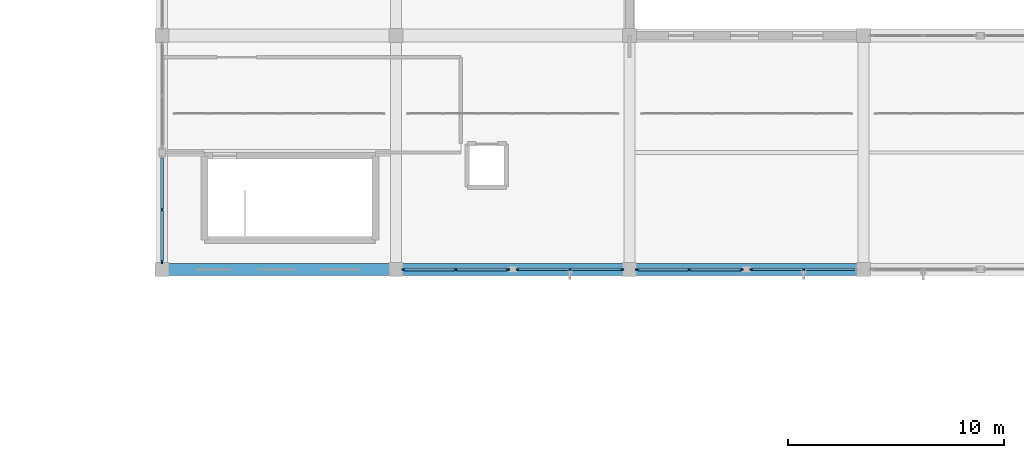
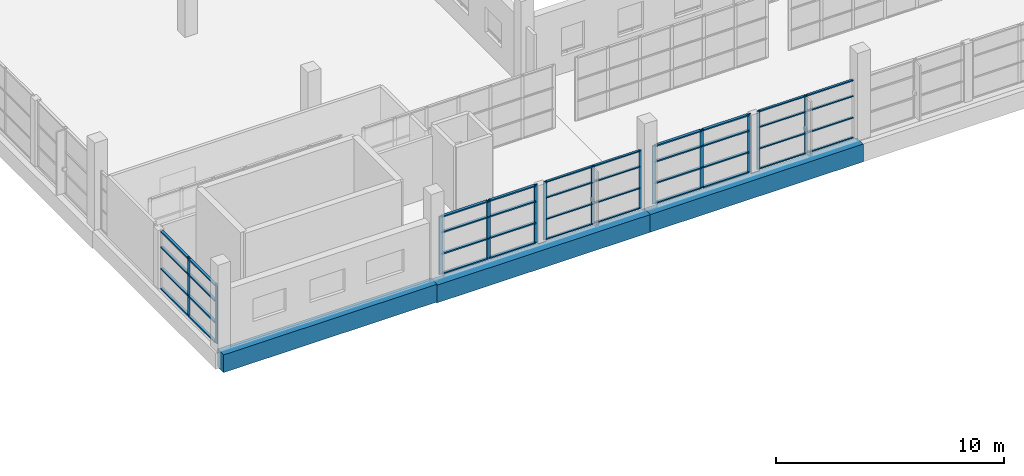
# One storey, part 22 of 142: 53 members, 3 beams, 5 elements without a shape of their own.
"""IFC4 building model written with IfcOpenShell, lengths in metres."""

from ifc_helpers import new_model, si_unit, direction, frame, origin, origin_2d, place, context, subcontext, project, spatial, rectangle, extrude, material, material_profile, profile_set, type_object, element, aggregate, save


model = new_model("IFC4")

# Units and contexts
model_context = context("Model", 3, precision=1e-05, world=origin(), true_north=direction((0.0, 1.0)))
body_context = subcontext(model_context, "Body", "Model", "MODEL_VIEW")
ifc_project = project(units=[si_unit("LENGTHUNIT", "METRE"), si_unit("AREAUNIT", "SQUARE_METRE"), si_unit("VOLUMEUNIT", "CUBIC_METRE"), si_unit("PLANEANGLEUNIT", "RADIAN"), si_unit("MASSUNIT", "GRAM", prefix="KILO")], contexts=[model_context])

# Site, building, storey
site_placement = place(None, origin())
site = spatial("IfcSite", under=ifc_project, at=site_placement, CompositionType="ELEMENT")
building_placement = place(site_placement, origin())
building = spatial("IfcBuilding", under=site, at=building_placement, Name="Zwinboog Wholesale Market", CompositionType="ELEMENT")
storey_placement = place(building_placement, frame((0.0, 0.0, 5.39990234375)))
storey = spatial("IfcBuildingStorey", under=building, at=storey_placement, Name="L01", CompositionType="ELEMENT", Elevation=5.39990234375)

# Beams
ifc_material_1 = material(Name="Precast concrete C45/55", Category="concrete")
ifc_material_profile_1 = material_profile(ifc_material_1, rectangle(XDim=0.550048828125, YDim=0.949951171875, at=origin_2d()), Name="PC 550x950")
ifc_profile_set_1 = profile_set([ifc_material_profile_1], Name="Precast concrete C45/55")
beam_type = type_object("IfcBeamType", Name="BT-02", PredefinedType="BEAM", material=ifc_profile_set_1)
beam_1_placement = place(storey_placement, frame((64.800048828125, 43.199951171875, -0.72998046875), z_axis=(1.0, 0.0, 0.0), x_axis=(0.0, 1.0, 0.0)))
element("IfcBeam", 1, at=beam_1_placement, inside=storey, type_object=beam_type, Name="BG-02 (BMG-L01-0648-0432-0465)", PredefinedType="BEAM", context=body_context, shape_type="SweptSolid", body=[
    extrude(rectangle(XDim=0.550048828125, YDim=0.949951171875, at=origin_2d()), origin(), (0.0, 0.0, 1.0), 10.800048828125),
])
beam_2_placement = place(storey_placement, frame((75.60009765625, 43.199951171875, -0.77978515625), z_axis=(1.0, 0.0, 0.0), x_axis=(0.0, 1.0, 0.0)))
element("IfcBeam", 2, at=beam_2_placement, inside=storey, type_object=beam_type, Name="BG-02 (BMG-L01-0756-0432-0466)", PredefinedType="BEAM", context=body_context, shape_type="SweptSolid", body=[
    extrude(rectangle(XDim=0.550048828125, YDim=0.949951171875, at=origin_2d()), origin(), (0.0, 0.0, 1.0), 10.7998046875),
])
beam_3_placement = place(storey_placement, frame((86.39990234375, 43.199951171875, -0.77978515625), z_axis=(1.0, 0.0, 0.0), x_axis=(0.0, 1.0, 0.0)))
element("IfcBeam", 3, at=beam_3_placement, inside=storey, type_object=beam_type, Name="BG-02 (BMG-L01-0864-0432-0467)", PredefinedType="BEAM", context=body_context, shape_type="SweptSolid", body=[
    extrude(rectangle(XDim=0.550048828125, YDim=0.949951171875, at=origin_2d()), origin(), (0.0, 0.0, 1.0), 10.800048828125),
])

# Curtain wall, members
ifc_material_2 = material(Name="Aluminium thermally broken curtain wall", Category="aluminium")
curtain_wall_type_1 = type_object("IfcCurtainWallType", Name="CWT-STALL-18", PredefinedType="USERDEFINED", material=ifc_material_2)
curtain_wall_1_placement = place(storey_placement, origin())
curtain_wall_1 = element("IfcCurtainWall", 4, at=curtain_wall_1_placement, inside=storey, type_object=curtain_wall_type_1, Name="CW-01 (CW-L01-085)", ObjectType="STOREFRONT_GLAZING", PredefinedType="USERDEFINED")
ifc_material_3 = material(Name="Aluminium EN AW-6060", Category="aluminium")
ifc_material_profile_2 = material_profile(ifc_material_3, rectangle(XDim=0.06494140625, YDim=0.179931640625, at=origin_2d()), Name="AL 65x180")
ifc_profile_set_2 = profile_set([ifc_material_profile_2], Name="Aluminium EN AW-6060")
member_type_1 = type_object("IfcMemberType", Name="CWM-65x180", PredefinedType="MULLION", material=ifc_profile_set_2)
member_1_placement = place(storey_placement, frame((64.800048828125, 43.552490234375, 0.0), z_axis=(0.0, 0.0, 1.0), x_axis=(-1.0, 0.0, 0.0)))
member_1 = element("IfcMember", 5, at=member_1_placement, type_object=member_type_1, Name="CW-01 mullion 1", PredefinedType="MULLION", context=body_context, shape_type="SweptSolid", body=[
    extrude(rectangle(XDim=0.06494140625, YDim=0.179931640625, at=origin_2d()), origin(), (0.0, 0.0, 1.0), 3.1201171875),
])
member_2_placement = place(storey_placement, frame((64.800048828125, 45.9599609375, 0.0), z_axis=(0.0, 0.0, 1.0), x_axis=(-1.0, 0.0, 0.0)))
member_2 = element("IfcMember", 6, at=member_2_placement, type_object=member_type_1, Name="CW-01 mullion 2", PredefinedType="MULLION", context=body_context, shape_type="SweptSolid", body=[
    extrude(rectangle(XDim=0.06494140625, YDim=0.179931640625, at=origin_2d()), origin(), (0.0, 0.0, 1.0), 3.1201171875),
])

curtain_wall_type_2 = type_object("IfcCurtainWallType", Name="CWT-CAFE-22", PredefinedType="USERDEFINED", material=ifc_material_2)
curtain_wall_2_placement = place(storey_placement, origin())
curtain_wall_2 = element("IfcCurtainWall", 7, at=curtain_wall_2_placement, inside=storey, type_object=curtain_wall_type_2, Name="CW-05 (CW-L01-089)", ObjectType="STOREFRONT_GLAZING", PredefinedType="USERDEFINED")
member_3_placement = place(storey_placement, frame((75.952392578125, 43.199951171875, 0.0), z_axis=(0.0, 0.0, 1.0), x_axis=(0.0, 1.0, 0.0)))
member_3 = element("IfcMember", 8, at=member_3_placement, type_object=member_type_1, Name="CW-05 mullion 1", PredefinedType="MULLION", context=body_context, shape_type="SweptSolid", body=[
    extrude(rectangle(XDim=0.06494140625, YDim=0.179931640625, at=origin_2d()), origin(), (0.0, 0.0, 1.0), 3.1201171875),
])
member_4_placement = place(storey_placement, frame((78.360107421875, 43.199951171875, 0.0), z_axis=(0.0, 0.0, 1.0), x_axis=(0.0, 1.0, 0.0)))
member_4 = element("IfcMember", 9, at=member_4_placement, type_object=member_type_1, Name="CW-05 mullion 2", PredefinedType="MULLION", context=body_context, shape_type="SweptSolid", body=[
    extrude(rectangle(XDim=0.06494140625, YDim=0.179931640625, at=origin_2d()), origin(), (0.0, 0.0, 1.0), 3.1201171875),
])
member_5_placement = place(storey_placement, frame((80.767578125, 43.199951171875, 0.0), z_axis=(0.0, 0.0, 1.0), x_axis=(0.0, 1.0, 0.0)))
member_5 = element("IfcMember", 10, at=member_5_placement, type_object=member_type_1, Name="CW-05 mullion 3", PredefinedType="MULLION", context=body_context, shape_type="SweptSolid", body=[
    extrude(rectangle(XDim=0.06494140625, YDim=0.179931640625, at=origin_2d()), origin(), (0.0, 0.0, 1.0), 3.1201171875),
])

curtain_wall_3_placement = place(storey_placement, origin())
curtain_wall_3 = element("IfcCurtainWall", 11, at=curtain_wall_3_placement, inside=storey, type_object=curtain_wall_type_2, Name="CW-05 (CW-L01-095)", ObjectType="STOREFRONT_GLAZING", PredefinedType="USERDEFINED")
member_6_placement = place(storey_placement, frame((86.75244140625, 43.199951171875, 0.0), z_axis=(0.0, 0.0, 1.0), x_axis=(0.0, 1.0, 0.0)))
member_6 = element("IfcMember", 12, at=member_6_placement, type_object=member_type_1, Name="CW-05 mullion 1", PredefinedType="MULLION", context=body_context, shape_type="SweptSolid", body=[
    extrude(rectangle(XDim=0.06494140625, YDim=0.179931640625, at=origin_2d()), origin(), (0.0, 0.0, 1.0), 3.1201171875),
])
member_7_placement = place(storey_placement, frame((89.159912109375, 43.199951171875, 0.0), z_axis=(0.0, 0.0, 1.0), x_axis=(0.0, 1.0, 0.0)))
member_7 = element("IfcMember", 13, at=member_7_placement, type_object=member_type_1, Name="CW-05 mullion 2", PredefinedType="MULLION", context=body_context, shape_type="SweptSolid", body=[
    extrude(rectangle(XDim=0.06494140625, YDim=0.179931640625, at=origin_2d()), origin(), (0.0, 0.0, 1.0), 3.1201171875),
])
member_8_placement = place(storey_placement, frame((91.5673828125, 43.199951171875, 0.0), z_axis=(0.0, 0.0, 1.0), x_axis=(0.0, 1.0, 0.0)))
member_8 = element("IfcMember", 14, at=member_8_placement, type_object=member_type_1, Name="CW-05 mullion 3", PredefinedType="MULLION", context=body_context, shape_type="SweptSolid", body=[
    extrude(rectangle(XDim=0.06494140625, YDim=0.179931640625, at=origin_2d()), origin(), (0.0, 0.0, 1.0), 3.1201171875),
])

curtain_wall_type_3 = type_object("IfcCurtainWallType", Name="CWT-OFF-15", PredefinedType="USERDEFINED", material=ifc_material_2)
curtain_wall_4_placement = place(storey_placement, origin())
curtain_wall_4 = element("IfcCurtainWall", 15, at=curtain_wall_4_placement, inside=storey, type_object=curtain_wall_type_3, Name="CW-06 (CW-L01-090)", ObjectType="UNITIZED_CURTAIN_WALL", PredefinedType="USERDEFINED")
ifc_material_profile_3 = material_profile(ifc_material_3, rectangle(XDim=0.06005859375, YDim=0.14990234375, at=origin_2d()), Name="AL 60x150")
ifc_profile_set_3 = profile_set([ifc_material_profile_3], Name="Aluminium EN AW-6060")
member_type_2 = type_object("IfcMemberType", Name="CWM-60x150", PredefinedType="MULLION", material=ifc_profile_set_3)
member_9_placement = place(storey_placement, frame((81.22998046875, 43.199951171875, 0.0), z_axis=(0.0, 0.0, 1.0), x_axis=(0.0, 1.0, 0.0)))
member_9 = element("IfcMember", 16, at=member_9_placement, type_object=member_type_2, Name="CW-06 mullion 1", PredefinedType="MULLION", context=body_context, shape_type="SweptSolid", body=[
    extrude(rectangle(XDim=0.06005859375, YDim=0.14990234375, at=origin_2d()), origin(), (0.0, 0.0, 1.0), 3.1201171875),
])
member_10_placement = place(storey_placement, frame((83.639892578125, 43.199951171875, 0.0), z_axis=(0.0, 0.0, 1.0), x_axis=(0.0, 1.0, 0.0)))
member_10 = element("IfcMember", 17, at=member_10_placement, type_object=member_type_2, Name="CW-06 mullion 2", PredefinedType="MULLION", context=body_context, shape_type="SweptSolid", body=[
    extrude(rectangle(XDim=0.06005859375, YDim=0.14990234375, at=origin_2d()), origin(), (0.0, 0.0, 1.0), 3.1201171875),
])
member_11_placement = place(storey_placement, frame((86.050048828125, 43.199951171875, 0.0), z_axis=(0.0, 0.0, 1.0), x_axis=(0.0, 1.0, 0.0)))
member_11 = element("IfcMember", 18, at=member_11_placement, type_object=member_type_2, Name="CW-06 mullion 3", PredefinedType="MULLION", context=body_context, shape_type="SweptSolid", body=[
    extrude(rectangle(XDim=0.06005859375, YDim=0.14990234375, at=origin_2d()), origin(), (0.0, 0.0, 1.0), 3.1201171875),
])

curtain_wall_5_placement = place(storey_placement, origin())
curtain_wall_5 = element("IfcCurtainWall", 19, at=curtain_wall_5_placement, inside=storey, type_object=curtain_wall_type_3, Name="CW-06 (CW-L01-096)", ObjectType="UNITIZED_CURTAIN_WALL", PredefinedType="USERDEFINED")
member_12_placement = place(storey_placement, frame((92.030029296875, 43.199951171875, 0.0), z_axis=(0.0, 0.0, 1.0), x_axis=(0.0, 1.0, 0.0)))
member_12 = element("IfcMember", 20, at=member_12_placement, type_object=member_type_2, Name="CW-06 mullion 1", PredefinedType="MULLION", context=body_context, shape_type="SweptSolid", body=[
    extrude(rectangle(XDim=0.06005859375, YDim=0.14990234375, at=origin_2d()), origin(), (0.0, 0.0, 1.0), 3.1201171875),
])
member_13_placement = place(storey_placement, frame((94.43994140625, 43.199951171875, 0.0), z_axis=(0.0, 0.0, 1.0), x_axis=(0.0, 1.0, 0.0)))
member_13 = element("IfcMember", 21, at=member_13_placement, type_object=member_type_2, Name="CW-06 mullion 2", PredefinedType="MULLION", context=body_context, shape_type="SweptSolid", body=[
    extrude(rectangle(XDim=0.06005859375, YDim=0.14990234375, at=origin_2d()), origin(), (0.0, 0.0, 1.0), 3.1201171875),
])

# Member
ifc_material_profile_4 = material_profile(ifc_material_3, rectangle(XDim=0.139892578125, YDim=0.06494140625, at=origin_2d()), Name="AL 65x140")
ifc_profile_set_4 = profile_set([ifc_material_profile_4], Name="Aluminium EN AW-6060")
member_type_3 = type_object("IfcMemberType", Name="CWT-65x140", PredefinedType="USERDEFINED", material=ifc_profile_set_4)
member_14_placement = place(storey_placement, frame((64.800048828125, 43.5849609375, 0.03271484375), z_axis=(0.0, 1.0, 0.0), x_axis=(-1.0, 0.0, 0.0)))
member_14 = element("IfcMember", 22, at=member_14_placement, type_object=member_type_3, Name="CW-01 transom 1.1", ObjectType="TRANSOM", PredefinedType="USERDEFINED", context=body_context, shape_type="SweptSolid", body=[
    extrude(rectangle(XDim=0.139892578125, YDim=0.06494140625, at=origin_2d()), origin(), (0.0, 0.0, 1.0), 2.342529296875),
])

member_15_placement = place(storey_placement, frame((64.800048828125, 43.5849609375, 1.10009765625), z_axis=(0.0, 1.0, 0.0), x_axis=(-1.0, 0.0, 0.0)))
member_15 = element("IfcMember", 23, at=member_15_placement, type_object=member_type_3, Name="CW-01 transom 1.2", ObjectType="TRANSOM", PredefinedType="USERDEFINED", context=body_context, shape_type="SweptSolid", body=[
    extrude(rectangle(XDim=0.139892578125, YDim=0.06494140625, at=origin_2d()), origin(), (0.0, 0.0, 1.0), 2.342529296875),
])

member_16_placement = place(storey_placement, frame((64.800048828125, 43.5849609375, 2.25), z_axis=(0.0, 1.0, 0.0), x_axis=(-1.0, 0.0, 0.0)))
member_16 = element("IfcMember", 24, at=member_16_placement, type_object=member_type_3, Name="CW-01 transom 1.3", ObjectType="TRANSOM", PredefinedType="USERDEFINED", context=body_context, shape_type="SweptSolid", body=[
    extrude(rectangle(XDim=0.139892578125, YDim=0.06494140625, at=origin_2d()), origin(), (0.0, 0.0, 1.0), 2.342529296875),
])

member_17_placement = place(storey_placement, frame((64.800048828125, 43.5849609375, 3.087646484375), z_axis=(0.0, 1.0, 0.0), x_axis=(-1.0, 0.0, 0.0)))
member_17 = element("IfcMember", 25, at=member_17_placement, type_object=member_type_3, Name="CW-01 transom 1.4", ObjectType="TRANSOM", PredefinedType="USERDEFINED", context=body_context, shape_type="SweptSolid", body=[
    extrude(rectangle(XDim=0.139892578125, YDim=0.06494140625, at=origin_2d()), origin(), (0.0, 0.0, 1.0), 2.342529296875),
])

member_18_placement = place(storey_placement, frame((64.800048828125, 45.992431640625, 0.03271484375), z_axis=(0.0, 1.0, 0.0), x_axis=(-1.0, 0.0, 0.0)))
member_18 = element("IfcMember", 26, at=member_18_placement, type_object=member_type_3, Name="CW-01 transom 2.1", ObjectType="TRANSOM", PredefinedType="USERDEFINED", context=body_context, shape_type="SweptSolid", body=[
    extrude(rectangle(XDim=0.139892578125, YDim=0.06494140625, at=origin_2d()), origin(), (0.0, 0.0, 1.0), 2.342529296875),
])

member_19_placement = place(storey_placement, frame((64.800048828125, 45.992431640625, 1.10009765625), z_axis=(0.0, 1.0, 0.0), x_axis=(-1.0, 0.0, 0.0)))
member_19 = element("IfcMember", 27, at=member_19_placement, type_object=member_type_3, Name="CW-01 transom 2.2", ObjectType="TRANSOM", PredefinedType="USERDEFINED", context=body_context, shape_type="SweptSolid", body=[
    extrude(rectangle(XDim=0.139892578125, YDim=0.06494140625, at=origin_2d()), origin(), (0.0, 0.0, 1.0), 2.342529296875),
])

member_20_placement = place(storey_placement, frame((64.800048828125, 45.992431640625, 2.25), z_axis=(0.0, 1.0, 0.0), x_axis=(-1.0, 0.0, 0.0)))
member_20 = element("IfcMember", 28, at=member_20_placement, type_object=member_type_3, Name="CW-01 transom 2.3", ObjectType="TRANSOM", PredefinedType="USERDEFINED", context=body_context, shape_type="SweptSolid", body=[
    extrude(rectangle(XDim=0.139892578125, YDim=0.06494140625, at=origin_2d()), origin(), (0.0, 0.0, 1.0), 2.342529296875),
])

member_21_placement = place(storey_placement, frame((64.800048828125, 45.992431640625, 3.087646484375), z_axis=(0.0, 1.0, 0.0), x_axis=(-1.0, 0.0, 0.0)))
member_21 = element("IfcMember", 29, at=member_21_placement, type_object=member_type_3, Name="CW-01 transom 2.4", ObjectType="TRANSOM", PredefinedType="USERDEFINED", context=body_context, shape_type="SweptSolid", body=[
    extrude(rectangle(XDim=0.139892578125, YDim=0.06494140625, at=origin_2d()), origin(), (0.0, 0.0, 1.0), 2.342529296875),
])

aggregate(curtain_wall_1, [member_1, member_2, member_14, member_15, member_16, member_17, member_18, member_19, member_20, member_21])

member_22_placement = place(storey_placement, frame((75.985107421875, 43.199951171875, 0.03271484375), z_axis=(1.0, 0.0, 0.0), x_axis=(0.0, 1.0, 0.0)))
member_22 = element("IfcMember", 30, at=member_22_placement, type_object=member_type_3, Name="CW-05 transom 1.1", ObjectType="TRANSOM", PredefinedType="USERDEFINED", context=body_context, shape_type="SweptSolid", body=[
    extrude(rectangle(XDim=0.139892578125, YDim=0.06494140625, at=origin_2d()), origin(), (0.0, 0.0, 1.0), 2.34228515625),
])

member_23_placement = place(storey_placement, frame((75.985107421875, 43.199951171875, 1.10009765625), z_axis=(1.0, 0.0, 0.0), x_axis=(0.0, 1.0, 0.0)))
member_23 = element("IfcMember", 31, at=member_23_placement, type_object=member_type_3, Name="CW-05 transom 1.2", ObjectType="TRANSOM", PredefinedType="USERDEFINED", context=body_context, shape_type="SweptSolid", body=[
    extrude(rectangle(XDim=0.139892578125, YDim=0.06494140625, at=origin_2d()), origin(), (0.0, 0.0, 1.0), 2.34228515625),
])

member_24_placement = place(storey_placement, frame((75.985107421875, 43.199951171875, 2.25), z_axis=(1.0, 0.0, 0.0), x_axis=(0.0, 1.0, 0.0)))
member_24 = element("IfcMember", 32, at=member_24_placement, type_object=member_type_3, Name="CW-05 transom 1.3", ObjectType="TRANSOM", PredefinedType="USERDEFINED", context=body_context, shape_type="SweptSolid", body=[
    extrude(rectangle(XDim=0.139892578125, YDim=0.06494140625, at=origin_2d()), origin(), (0.0, 0.0, 1.0), 2.34228515625),
])

member_25_placement = place(storey_placement, frame((75.985107421875, 43.199951171875, 3.087646484375), z_axis=(1.0, 0.0, 0.0), x_axis=(0.0, 1.0, 0.0)))
member_25 = element("IfcMember", 33, at=member_25_placement, type_object=member_type_3, Name="CW-05 transom 1.4", ObjectType="TRANSOM", PredefinedType="USERDEFINED", context=body_context, shape_type="SweptSolid", body=[
    extrude(rectangle(XDim=0.139892578125, YDim=0.06494140625, at=origin_2d()), origin(), (0.0, 0.0, 1.0), 2.34228515625),
])

member_26_placement = place(storey_placement, frame((78.392578125, 43.199951171875, 0.03271484375), z_axis=(1.0, 0.0, 0.0), x_axis=(0.0, 1.0, 0.0)))
member_26 = element("IfcMember", 34, at=member_26_placement, type_object=member_type_3, Name="CW-05 transom 2.1", ObjectType="TRANSOM", PredefinedType="USERDEFINED", context=body_context, shape_type="SweptSolid", body=[
    extrude(rectangle(XDim=0.139892578125, YDim=0.06494140625, at=origin_2d()), origin(), (0.0, 0.0, 1.0), 2.342529296875),
])

member_27_placement = place(storey_placement, frame((78.392578125, 43.199951171875, 1.10009765625), z_axis=(1.0, 0.0, 0.0), x_axis=(0.0, 1.0, 0.0)))
member_27 = element("IfcMember", 35, at=member_27_placement, type_object=member_type_3, Name="CW-05 transom 2.2", ObjectType="TRANSOM", PredefinedType="USERDEFINED", context=body_context, shape_type="SweptSolid", body=[
    extrude(rectangle(XDim=0.139892578125, YDim=0.06494140625, at=origin_2d()), origin(), (0.0, 0.0, 1.0), 2.342529296875),
])

member_28_placement = place(storey_placement, frame((78.392578125, 43.199951171875, 2.25), z_axis=(1.0, 0.0, 0.0), x_axis=(0.0, 1.0, 0.0)))
member_28 = element("IfcMember", 36, at=member_28_placement, type_object=member_type_3, Name="CW-05 transom 2.3", ObjectType="TRANSOM", PredefinedType="USERDEFINED", context=body_context, shape_type="SweptSolid", body=[
    extrude(rectangle(XDim=0.139892578125, YDim=0.06494140625, at=origin_2d()), origin(), (0.0, 0.0, 1.0), 2.342529296875),
])

member_29_placement = place(storey_placement, frame((78.392578125, 43.199951171875, 3.087646484375), z_axis=(1.0, 0.0, 0.0), x_axis=(0.0, 1.0, 0.0)))
member_29 = element("IfcMember", 37, at=member_29_placement, type_object=member_type_3, Name="CW-05 transom 2.4", ObjectType="TRANSOM", PredefinedType="USERDEFINED", context=body_context, shape_type="SweptSolid", body=[
    extrude(rectangle(XDim=0.139892578125, YDim=0.06494140625, at=origin_2d()), origin(), (0.0, 0.0, 1.0), 2.342529296875),
])

aggregate(curtain_wall_2, [member_3, member_4, member_5, member_22, member_23, member_24, member_25, member_26, member_27, member_28, member_29])

member_30_placement = place(storey_placement, frame((86.784912109375, 43.199951171875, 0.03271484375), z_axis=(1.0, 0.0, 0.0), x_axis=(0.0, 1.0, 0.0)))
member_30 = element("IfcMember", 38, at=member_30_placement, type_object=member_type_3, Name="CW-05 transom 1.1", ObjectType="TRANSOM", PredefinedType="USERDEFINED", context=body_context, shape_type="SweptSolid", body=[
    extrude(rectangle(XDim=0.139892578125, YDim=0.06494140625, at=origin_2d()), origin(), (0.0, 0.0, 1.0), 2.342529296875),
])

member_31_placement = place(storey_placement, frame((86.784912109375, 43.199951171875, 1.10009765625), z_axis=(1.0, 0.0, 0.0), x_axis=(0.0, 1.0, 0.0)))
member_31 = element("IfcMember", 39, at=member_31_placement, type_object=member_type_3, Name="CW-05 transom 1.2", ObjectType="TRANSOM", PredefinedType="USERDEFINED", context=body_context, shape_type="SweptSolid", body=[
    extrude(rectangle(XDim=0.139892578125, YDim=0.06494140625, at=origin_2d()), origin(), (0.0, 0.0, 1.0), 2.342529296875),
])

member_32_placement = place(storey_placement, frame((86.784912109375, 43.199951171875, 2.25), z_axis=(1.0, 0.0, 0.0), x_axis=(0.0, 1.0, 0.0)))
member_32 = element("IfcMember", 40, at=member_32_placement, type_object=member_type_3, Name="CW-05 transom 1.3", ObjectType="TRANSOM", PredefinedType="USERDEFINED", context=body_context, shape_type="SweptSolid", body=[
    extrude(rectangle(XDim=0.139892578125, YDim=0.06494140625, at=origin_2d()), origin(), (0.0, 0.0, 1.0), 2.342529296875),
])

member_33_placement = place(storey_placement, frame((86.784912109375, 43.199951171875, 3.087646484375), z_axis=(1.0, 0.0, 0.0), x_axis=(0.0, 1.0, 0.0)))
member_33 = element("IfcMember", 41, at=member_33_placement, type_object=member_type_3, Name="CW-05 transom 1.4", ObjectType="TRANSOM", PredefinedType="USERDEFINED", context=body_context, shape_type="SweptSolid", body=[
    extrude(rectangle(XDim=0.139892578125, YDim=0.06494140625, at=origin_2d()), origin(), (0.0, 0.0, 1.0), 2.342529296875),
])

member_34_placement = place(storey_placement, frame((89.1923828125, 43.199951171875, 0.03271484375), z_axis=(1.0, 0.0, 0.0), x_axis=(0.0, 1.0, 0.0)))
member_34 = element("IfcMember", 42, at=member_34_placement, type_object=member_type_3, Name="CW-05 transom 2.1", ObjectType="TRANSOM", PredefinedType="USERDEFINED", context=body_context, shape_type="SweptSolid", body=[
    extrude(rectangle(XDim=0.139892578125, YDim=0.06494140625, at=origin_2d()), origin(), (0.0, 0.0, 1.0), 2.342529296875),
])

member_35_placement = place(storey_placement, frame((89.1923828125, 43.199951171875, 1.10009765625), z_axis=(1.0, 0.0, 0.0), x_axis=(0.0, 1.0, 0.0)))
member_35 = element("IfcMember", 43, at=member_35_placement, type_object=member_type_3, Name="CW-05 transom 2.2", ObjectType="TRANSOM", PredefinedType="USERDEFINED", context=body_context, shape_type="SweptSolid", body=[
    extrude(rectangle(XDim=0.139892578125, YDim=0.06494140625, at=origin_2d()), origin(), (0.0, 0.0, 1.0), 2.342529296875),
])

member_36_placement = place(storey_placement, frame((89.1923828125, 43.199951171875, 2.25), z_axis=(1.0, 0.0, 0.0), x_axis=(0.0, 1.0, 0.0)))
member_36 = element("IfcMember", 44, at=member_36_placement, type_object=member_type_3, Name="CW-05 transom 2.3", ObjectType="TRANSOM", PredefinedType="USERDEFINED", context=body_context, shape_type="SweptSolid", body=[
    extrude(rectangle(XDim=0.139892578125, YDim=0.06494140625, at=origin_2d()), origin(), (0.0, 0.0, 1.0), 2.342529296875),
])

member_37_placement = place(storey_placement, frame((89.1923828125, 43.199951171875, 3.087646484375), z_axis=(1.0, 0.0, 0.0), x_axis=(0.0, 1.0, 0.0)))
member_37 = element("IfcMember", 45, at=member_37_placement, type_object=member_type_3, Name="CW-05 transom 2.4", ObjectType="TRANSOM", PredefinedType="USERDEFINED", context=body_context, shape_type="SweptSolid", body=[
    extrude(rectangle(XDim=0.139892578125, YDim=0.06494140625, at=origin_2d()), origin(), (0.0, 0.0, 1.0), 2.342529296875),
])

aggregate(curtain_wall_3, [member_6, member_7, member_8, member_30, member_31, member_32, member_33, member_34, member_35, member_36, member_37])

ifc_material_profile_5 = material_profile(ifc_material_3, rectangle(XDim=0.110107421875, YDim=0.06005859375, at=origin_2d()), Name="AL 60x110")
ifc_profile_set_5 = profile_set([ifc_material_profile_5], Name="Aluminium EN AW-6060")
member_type_4 = type_object("IfcMemberType", Name="CWT-60x110", PredefinedType="USERDEFINED", material=ifc_profile_set_5)
member_38_placement = place(storey_placement, frame((81.260009765625, 43.199951171875, 0.030029296875), z_axis=(1.0, 0.0, 0.0), x_axis=(0.0, 1.0, 0.0)))
member_38 = element("IfcMember", 46, at=member_38_placement, type_object=member_type_4, Name="CW-06 transom 1.1", ObjectType="TRANSOM", PredefinedType="USERDEFINED", context=body_context, shape_type="SweptSolid", body=[
    extrude(rectangle(XDim=0.110107421875, YDim=0.06005859375, at=origin_2d()), origin(), (0.0, 0.0, 1.0), 2.35009765625),
])

member_39_placement = place(storey_placement, frame((81.260009765625, 43.199951171875, 1.10009765625), z_axis=(1.0, 0.0, 0.0), x_axis=(0.0, 1.0, 0.0)))
member_39 = element("IfcMember", 47, at=member_39_placement, type_object=member_type_4, Name="CW-06 transom 1.2", ObjectType="TRANSOM", PredefinedType="USERDEFINED", context=body_context, shape_type="SweptSolid", body=[
    extrude(rectangle(XDim=0.110107421875, YDim=0.06005859375, at=origin_2d()), origin(), (0.0, 0.0, 1.0), 2.35009765625),
])

member_40_placement = place(storey_placement, frame((81.260009765625, 43.199951171875, 2.25), z_axis=(1.0, 0.0, 0.0), x_axis=(0.0, 1.0, 0.0)))
member_40 = element("IfcMember", 48, at=member_40_placement, type_object=member_type_4, Name="CW-06 transom 1.3", ObjectType="TRANSOM", PredefinedType="USERDEFINED", context=body_context, shape_type="SweptSolid", body=[
    extrude(rectangle(XDim=0.110107421875, YDim=0.06005859375, at=origin_2d()), origin(), (0.0, 0.0, 1.0), 2.35009765625),
])

member_41_placement = place(storey_placement, frame((81.260009765625, 43.199951171875, 3.090087890625), z_axis=(1.0, 0.0, 0.0), x_axis=(0.0, 1.0, 0.0)))
member_41 = element("IfcMember", 49, at=member_41_placement, type_object=member_type_4, Name="CW-06 transom 1.4", ObjectType="TRANSOM", PredefinedType="USERDEFINED", context=body_context, shape_type="SweptSolid", body=[
    extrude(rectangle(XDim=0.110107421875, YDim=0.06005859375, at=origin_2d()), origin(), (0.0, 0.0, 1.0), 2.35009765625),
])

member_42_placement = place(storey_placement, frame((83.669921875, 43.199951171875, 0.030029296875), z_axis=(1.0, 0.0, 0.0), x_axis=(0.0, 1.0, 0.0)))
member_42 = element("IfcMember", 50, at=member_42_placement, type_object=member_type_4, Name="CW-06 transom 2.1", ObjectType="TRANSOM", PredefinedType="USERDEFINED", context=body_context, shape_type="SweptSolid", body=[
    extrude(rectangle(XDim=0.110107421875, YDim=0.06005859375, at=origin_2d()), origin(), (0.0, 0.0, 1.0), 2.35009765625),
])

member_43_placement = place(storey_placement, frame((83.669921875, 43.199951171875, 1.10009765625), z_axis=(1.0, 0.0, 0.0), x_axis=(0.0, 1.0, 0.0)))
member_43 = element("IfcMember", 51, at=member_43_placement, type_object=member_type_4, Name="CW-06 transom 2.2", ObjectType="TRANSOM", PredefinedType="USERDEFINED", context=body_context, shape_type="SweptSolid", body=[
    extrude(rectangle(XDim=0.110107421875, YDim=0.06005859375, at=origin_2d()), origin(), (0.0, 0.0, 1.0), 2.35009765625),
])

member_44_placement = place(storey_placement, frame((83.669921875, 43.199951171875, 2.25), z_axis=(1.0, 0.0, 0.0), x_axis=(0.0, 1.0, 0.0)))
member_44 = element("IfcMember", 52, at=member_44_placement, type_object=member_type_4, Name="CW-06 transom 2.3", ObjectType="TRANSOM", PredefinedType="USERDEFINED", context=body_context, shape_type="SweptSolid", body=[
    extrude(rectangle(XDim=0.110107421875, YDim=0.06005859375, at=origin_2d()), origin(), (0.0, 0.0, 1.0), 2.35009765625),
])

member_45_placement = place(storey_placement, frame((83.669921875, 43.199951171875, 3.090087890625), z_axis=(1.0, 0.0, 0.0), x_axis=(0.0, 1.0, 0.0)))
member_45 = element("IfcMember", 53, at=member_45_placement, type_object=member_type_4, Name="CW-06 transom 2.4", ObjectType="TRANSOM", PredefinedType="USERDEFINED", context=body_context, shape_type="SweptSolid", body=[
    extrude(rectangle(XDim=0.110107421875, YDim=0.06005859375, at=origin_2d()), origin(), (0.0, 0.0, 1.0), 2.35009765625),
])

aggregate(curtain_wall_4, [member_9, member_10, member_11, member_38, member_39, member_40, member_41, member_42, member_43, member_44, member_45])

member_46_placement = place(storey_placement, frame((92.06005859375, 43.199951171875, 0.030029296875), z_axis=(1.0, 0.0, 0.0), x_axis=(0.0, 1.0, 0.0)))
member_46 = element("IfcMember", 54, at=member_46_placement, type_object=member_type_4, Name="CW-06 transom 1.1", ObjectType="TRANSOM", PredefinedType="USERDEFINED", context=body_context, shape_type="SweptSolid", body=[
    extrude(rectangle(XDim=0.110107421875, YDim=0.06005859375, at=origin_2d()), origin(), (0.0, 0.0, 1.0), 2.349853515625),
])

member_47_placement = place(storey_placement, frame((92.06005859375, 43.199951171875, 1.10009765625), z_axis=(1.0, 0.0, 0.0), x_axis=(0.0, 1.0, 0.0)))
member_47 = element("IfcMember", 55, at=member_47_placement, type_object=member_type_4, Name="CW-06 transom 1.2", ObjectType="TRANSOM", PredefinedType="USERDEFINED", context=body_context, shape_type="SweptSolid", body=[
    extrude(rectangle(XDim=0.110107421875, YDim=0.06005859375, at=origin_2d()), origin(), (0.0, 0.0, 1.0), 2.349853515625),
])

member_48_placement = place(storey_placement, frame((92.06005859375, 43.199951171875, 2.25), z_axis=(1.0, 0.0, 0.0), x_axis=(0.0, 1.0, 0.0)))
member_48 = element("IfcMember", 56, at=member_48_placement, type_object=member_type_4, Name="CW-06 transom 1.3", ObjectType="TRANSOM", PredefinedType="USERDEFINED", context=body_context, shape_type="SweptSolid", body=[
    extrude(rectangle(XDim=0.110107421875, YDim=0.06005859375, at=origin_2d()), origin(), (0.0, 0.0, 1.0), 2.349853515625),
])

member_49_placement = place(storey_placement, frame((92.06005859375, 43.199951171875, 3.090087890625), z_axis=(1.0, 0.0, 0.0), x_axis=(0.0, 1.0, 0.0)))
member_49 = element("IfcMember", 57, at=member_49_placement, type_object=member_type_4, Name="CW-06 transom 1.4", ObjectType="TRANSOM", PredefinedType="USERDEFINED", context=body_context, shape_type="SweptSolid", body=[
    extrude(rectangle(XDim=0.110107421875, YDim=0.06005859375, at=origin_2d()), origin(), (0.0, 0.0, 1.0), 2.349853515625),
])

member_50_placement = place(storey_placement, frame((94.469970703125, 43.199951171875, 0.030029296875), z_axis=(1.0, 0.0, 0.0), x_axis=(0.0, 1.0, 0.0)))
member_50 = element("IfcMember", 58, at=member_50_placement, type_object=member_type_4, Name="CW-06 transom 2.1", ObjectType="TRANSOM", PredefinedType="USERDEFINED", context=body_context, shape_type="SweptSolid", body=[
    extrude(rectangle(XDim=0.110107421875, YDim=0.06005859375, at=origin_2d()), origin(), (0.0, 0.0, 1.0), 2.35009765625),
])

member_51_placement = place(storey_placement, frame((94.469970703125, 43.199951171875, 1.10009765625), z_axis=(1.0, 0.0, 0.0), x_axis=(0.0, 1.0, 0.0)))
member_51 = element("IfcMember", 59, at=member_51_placement, type_object=member_type_4, Name="CW-06 transom 2.2", ObjectType="TRANSOM", PredefinedType="USERDEFINED", context=body_context, shape_type="SweptSolid", body=[
    extrude(rectangle(XDim=0.110107421875, YDim=0.06005859375, at=origin_2d()), origin(), (0.0, 0.0, 1.0), 2.35009765625),
])

member_52_placement = place(storey_placement, frame((94.469970703125, 43.199951171875, 2.25), z_axis=(1.0, 0.0, 0.0), x_axis=(0.0, 1.0, 0.0)))
member_52 = element("IfcMember", 60, at=member_52_placement, type_object=member_type_4, Name="CW-06 transom 2.3", ObjectType="TRANSOM", PredefinedType="USERDEFINED", context=body_context, shape_type="SweptSolid", body=[
    extrude(rectangle(XDim=0.110107421875, YDim=0.06005859375, at=origin_2d()), origin(), (0.0, 0.0, 1.0), 2.35009765625),
])

member_53_placement = place(storey_placement, frame((94.469970703125, 43.199951171875, 3.090087890625), z_axis=(1.0, 0.0, 0.0), x_axis=(0.0, 1.0, 0.0)))
member_53 = element("IfcMember", 61, at=member_53_placement, type_object=member_type_4, Name="CW-06 transom 2.4", ObjectType="TRANSOM", PredefinedType="USERDEFINED", context=body_context, shape_type="SweptSolid", body=[
    extrude(rectangle(XDim=0.110107421875, YDim=0.06005859375, at=origin_2d()), origin(), (0.0, 0.0, 1.0), 2.35009765625),
])

aggregate(curtain_wall_5, [member_12, member_13, member_46, member_47, member_48, member_49, member_50, member_51, member_52, member_53])

save(model, "model.ifc")
